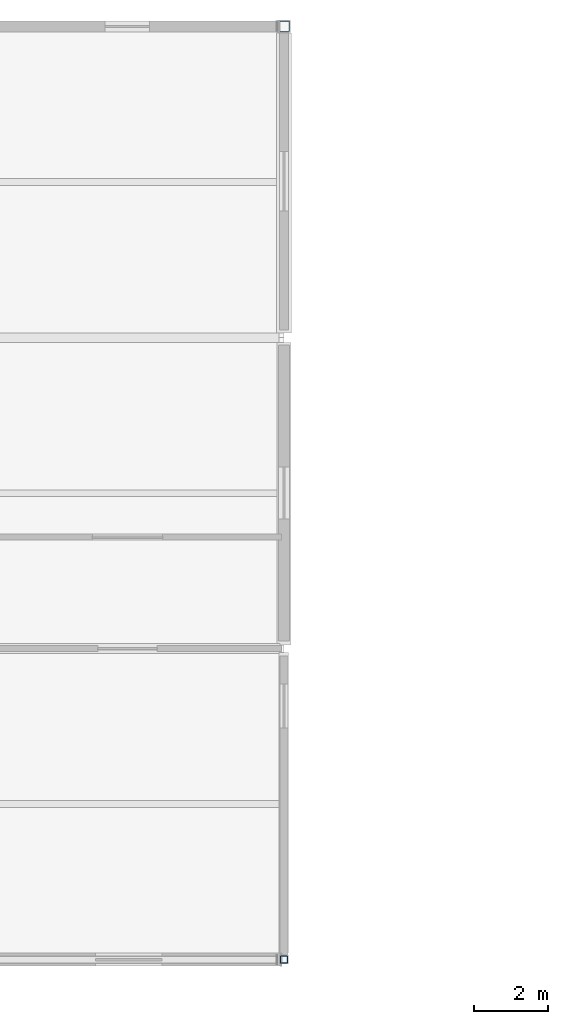
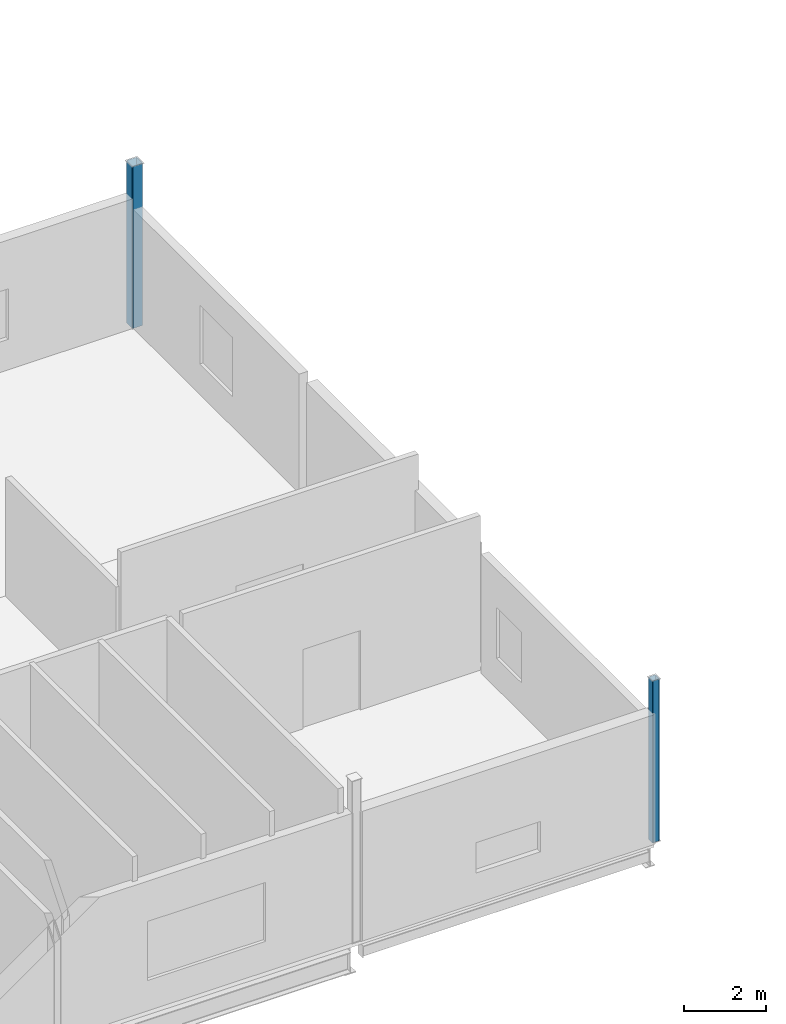
# One storey, part 4 of 27: 2 columns.
"""IFC4 building model written with IfcOpenShell, lengths in metres."""

from ifc_helpers import new_model, si_unit, direction, frame, origin, origin_2d, place, context, subcontext, project, spatial, hollow_rectangle, extrude, material, material_profile, profile_set, type_object, element, save


model = new_model("IFC4")

# Units and contexts
model_context = context("Model", 3, precision=1e-05, world=origin(), true_north=direction((0.0, 1.0)))
body_context = subcontext(model_context, "Body", "Model", "MODEL_VIEW")
ifc_project = project(units=[si_unit("LENGTHUNIT", "METRE"), si_unit("AREAUNIT", "SQUARE_METRE"), si_unit("VOLUMEUNIT", "CUBIC_METRE"), si_unit("PLANEANGLEUNIT", "RADIAN"), si_unit("MASSUNIT", "GRAM", prefix="KILO")], contexts=[model_context])

# Site, building, storey
site_placement = place(None, origin())
site = spatial("IfcSite", under=ifc_project, at=site_placement, CompositionType="ELEMENT")
building_placement = place(site_placement, origin())
building = spatial("IfcBuilding", under=site, at=building_placement, Name="Calvrana Isthmian Art Gallery", CompositionType="ELEMENT")
storey_placement = place(building_placement, frame((0.0, 0.0, 24.60009765625)))
storey = spatial("IfcBuildingStorey", under=building, at=storey_placement, Name="L05", CompositionType="ELEMENT", Elevation=24.60009765625)

# Columns
ifc_material = material(Name="Steel ASTM A500 Gr C", Category="steel")
ifc_material_profile_1 = material_profile(ifc_material, hollow_rectangle(XDim=0.203125, YDim=0.203125, WallThickness=0.0126953125, OuterFilletRadius=0.02490234375, at=origin_2d()), Name="HSS203X203X12.7")
ifc_profile_set_1 = profile_set([ifc_material_profile_1], Name="Steel ASTM A500 Gr C")
column_type_1 = type_object("IfcColumnType", Name="COL-STL-HSS203X203X12.7", PredefinedType="COLUMN", material=ifc_profile_set_1)
column_1_placement = place(storey_placement, frame((80.39990234375, 21.60009765625, 0.0), z_axis=(0.0, 0.0, 1.0), x_axis=(1.0, 0.0, 0.0)))
element("IfcColumn", 1, at=column_1_placement, inside=storey, type_object=column_type_1, Name="Column 11/D L05", PredefinedType="COLUMN", context=body_context, shape_type="SweptSolid", body=[
    extrude(hollow_rectangle(XDim=0.203125, YDim=0.203125, WallThickness=0.0126953125, OuterFilletRadius=0.02490234375, at=origin_2d()), origin(), (0.0, 0.0, 1.0), 4.7998046875),
])
ifc_material_profile_2 = material_profile(ifc_material, hollow_rectangle(XDim=0.3046875, YDim=0.3046875, WallThickness=0.015869140625, OuterFilletRadius=0.031982421875, at=origin_2d()), Name="HSS305X305X15.9")
ifc_profile_set_2 = profile_set([ifc_material_profile_2], Name="Steel ASTM A500 Gr C")
column_type_2 = type_object("IfcColumnType", Name="COL-STL-HSS305X305X15.9", PredefinedType="COLUMN", material=ifc_profile_set_2)
column_2_placement = place(storey_placement, frame((80.39990234375, 46.800048828125, 0.0), z_axis=(0.0, 0.0, 1.0), x_axis=(1.0, 0.0, 0.0)))
element("IfcColumn", 2, at=column_2_placement, inside=storey, type_object=column_type_2, Name="Column 11/G L05", PredefinedType="COLUMN", context=body_context, shape_type="SweptSolid", body=[
    extrude(hollow_rectangle(XDim=0.3046875, YDim=0.3046875, WallThickness=0.015869140625, OuterFilletRadius=0.031982421875, at=origin_2d()), origin(), (0.0, 0.0, 1.0), 4.7998046875),
])

save(model, "model.ifc")
